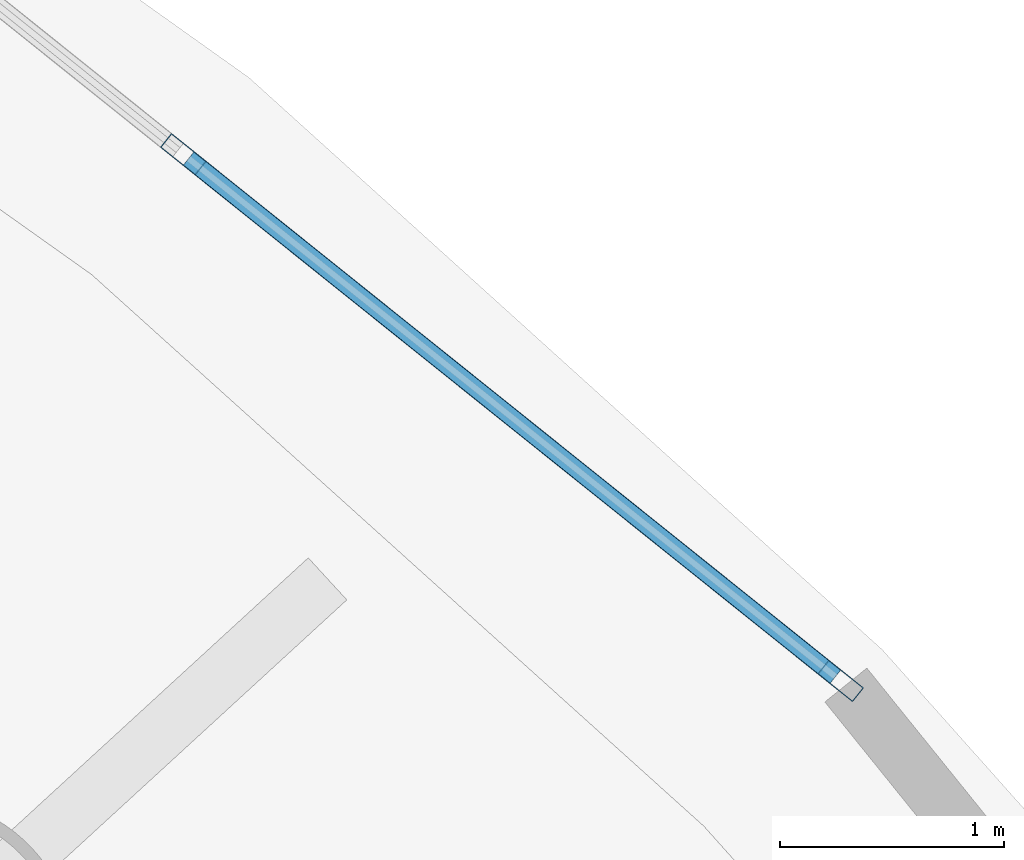
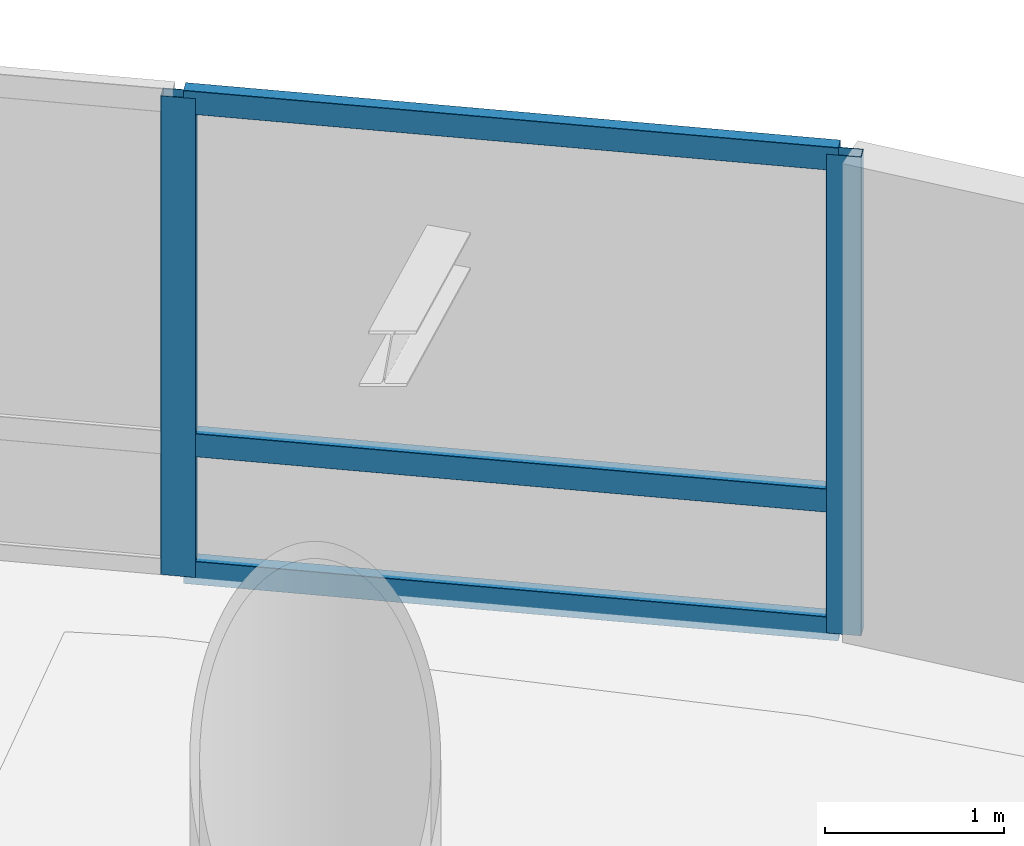
# One storey, part 11 of 21: 5 members, 1 element without a shape of its own.
"""IFC4 building model written with IfcOpenShell, lengths in metres."""

from ifc_helpers import new_model, si_unit, direction, frame, origin, origin_2d, place, context, subcontext, project, spatial, hollow_rectangle, extrude, material, layer, layer_set, material_profile, profile_set, type_object, element, aggregate, save


model = new_model("IFC4")

# Units and contexts
model_context = context("Model", 3, precision=1e-05, world=origin(), true_north=direction((0.0, 1.0)))
body_context = subcontext(model_context, "Body", "Model", "MODEL_VIEW")
ifc_project = project(units=[si_unit("LENGTHUNIT", "METRE"), si_unit("AREAUNIT", "SQUARE_METRE"), si_unit("VOLUMEUNIT", "CUBIC_METRE"), si_unit("PLANEANGLEUNIT", "RADIAN"), si_unit("MASSUNIT", "GRAM", prefix="KILO")], contexts=[model_context])

# Site, building, storey
site_placement = place(None, origin())
site = spatial("IfcSite", under=ifc_project, at=site_placement, CompositionType="ELEMENT")
building_placement = place(site_placement, origin())
building = spatial("IfcBuilding", under=site, at=building_placement, Name="Bramvorn Convention Spire", CompositionType="ELEMENT")
storey_placement = place(building_placement, frame((0.0, 0.0, 102.800048828125)))
storey = spatial("IfcBuildingStorey", under=building, at=storey_placement, Name="L24", CompositionType="ELEMENT", Elevation=102.800048828125)

# Curtain wall, members
ifc_material_1 = material(Name="Anodised Bronze Unitised Curtain Wall", Category="aluminium")
ifc_layer = layer(ifc_material_1, 0.179931640625)
ifc_layer_set = layer_set([ifc_layer], Name="Anodised Bronze Unitised Curtain Wall - CW-HTL-FRIT")
curtain_wall_type = type_object("IfcCurtainWallType", Name="CW-HTL-FRIT", PredefinedType="USERDEFINED", material=ifc_layer_set)
curtain_wall_placement = place(storey_placement, origin())
curtain_wall = element("IfcCurtainWall", 1, at=curtain_wall_placement, inside=storey, type_object=curtain_wall_type, Name="L24 fritted glass curtain wall 05", ObjectType="UNITISED CURTAIN WALL", PredefinedType="USERDEFINED")
ifc_material_2 = material(Name="Anodised Bronze Aluminium 6063-T6", Category="aluminium")
ifc_material_profile_1 = material_profile(ifc_material_2, hollow_rectangle(XDim=0.080078125, YDim=0.199951171875, WallThickness=0.00390625, InnerFilletRadius=0.0009765625, OuterFilletRadius=0.00390625, at=origin_2d()))
ifc_profile_set_1 = profile_set([ifc_material_profile_1], Name="Anodised Bronze Aluminium 6063-T6 - CWM80X200")
member_type_1 = type_object("IfcMemberType", Name="CW-MUL-180", PredefinedType="MULLION", material=ifc_profile_set_1)
member_1_placement = place(storey_placement, frame((55.720947265625, 41.8701171875, 0.0), z_axis=(0.0, 0.0, 1.0), x_axis=(0.625245906892, 0.78042780314, 0.0)))
member_1 = element("IfcMember", 2, at=member_1_placement, type_object=member_type_1, Name="CW2 mullion 2", PredefinedType="MULLION", context=body_context, shape_type="SweptSolid", body=[
    extrude(hollow_rectangle(XDim=0.080078125, YDim=0.199951171875, WallThickness=0.00390625, InnerFilletRadius=0.0009765625, OuterFilletRadius=0.00390625, at=origin_2d()), origin(), (0.0, 0.0, 1.0), 3.260009765625),
])
member_2_placement = place(storey_placement, frame((58.651123046875, 39.5224609375, 0.0), z_axis=(0.0, 0.0, 1.0), x_axis=(0.625245906892, 0.78042780314, 0.0)))
member_2 = element("IfcMember", 3, at=member_2_placement, type_object=member_type_1, Name="CW2 mullion 3", PredefinedType="MULLION", context=body_context, shape_type="SweptSolid", body=[
    extrude(hollow_rectangle(XDim=0.080078125, YDim=0.199951171875, WallThickness=0.00390625, InnerFilletRadius=0.0009765625, OuterFilletRadius=0.00390625, at=origin_2d()), origin(), (0.0, 0.0, 1.0), 3.260009765625),
])
ifc_material_profile_2 = material_profile(ifc_material_2, hollow_rectangle(XDim=0.080078125, YDim=0.159912109375, WallThickness=0.00390625, InnerFilletRadius=0.0009765625, OuterFilletRadius=0.00390625, at=origin_2d()))
ifc_profile_set_2 = profile_set([ifc_material_profile_2], Name="Anodised Bronze Aluminium 6063-T6 - CWT80X160")
member_type_2 = type_object("IfcMemberType", Name="CW-TRN-150", PredefinedType="USERDEFINED", material=ifc_profile_set_2)
member_3_placement = place(storey_placement, frame((55.744384765625, 41.851318359375, 0.030029296875), z_axis=(0.780417320396, -0.625258991159, 0.0), x_axis=(0.625258991159, 0.780417320396, 0.0)))
member_3 = element("IfcMember", 4, at=member_3_placement, type_object=member_type_2, Name="CW2 transom 2.1", ObjectType="TRANSOM", PredefinedType="USERDEFINED", context=body_context, shape_type="SweptSolid", body=[
    extrude(hollow_rectangle(XDim=0.080078125, YDim=0.159912109375, WallThickness=0.00390625, InnerFilletRadius=0.0009765625, OuterFilletRadius=0.00390625, at=origin_2d()), origin(), (0.0, 0.0, 1.0), 3.694580078125),
])
member_4_placement = place(storey_placement, frame((55.744384765625, 41.851318359375, 0.89990234375), z_axis=(0.780417320396, -0.625258991159, 0.0), x_axis=(0.625258991159, 0.780417320396, 0.0)))
member_4 = element("IfcMember", 5, at=member_4_placement, type_object=member_type_2, Name="CW2 transom 2.2", ObjectType="TRANSOM", PredefinedType="USERDEFINED", context=body_context, shape_type="SweptSolid", body=[
    extrude(hollow_rectangle(XDim=0.080078125, YDim=0.159912109375, WallThickness=0.00390625, InnerFilletRadius=0.0009765625, OuterFilletRadius=0.00390625, at=origin_2d()), origin(), (0.0, 0.0, 1.0), 3.694580078125),
])
member_5_placement = place(storey_placement, frame((55.744384765625, 41.851318359375, 3.22998046875), z_axis=(0.780417320396, -0.625258991159, 0.0), x_axis=(0.625258991159, 0.780417320396, 0.0)))
member_5 = element("IfcMember", 6, at=member_5_placement, type_object=member_type_2, Name="CW2 transom 2.3", ObjectType="TRANSOM", PredefinedType="USERDEFINED", context=body_context, shape_type="SweptSolid", body=[
    extrude(hollow_rectangle(XDim=0.080078125, YDim=0.159912109375, WallThickness=0.00390625, InnerFilletRadius=0.0009765625, OuterFilletRadius=0.00390625, at=origin_2d()), origin(), (0.0, 0.0, 1.0), 3.694580078125),
])
aggregate(curtain_wall, [member_1, member_2, member_3, member_4, member_5])

save(model, "model.ifc")
